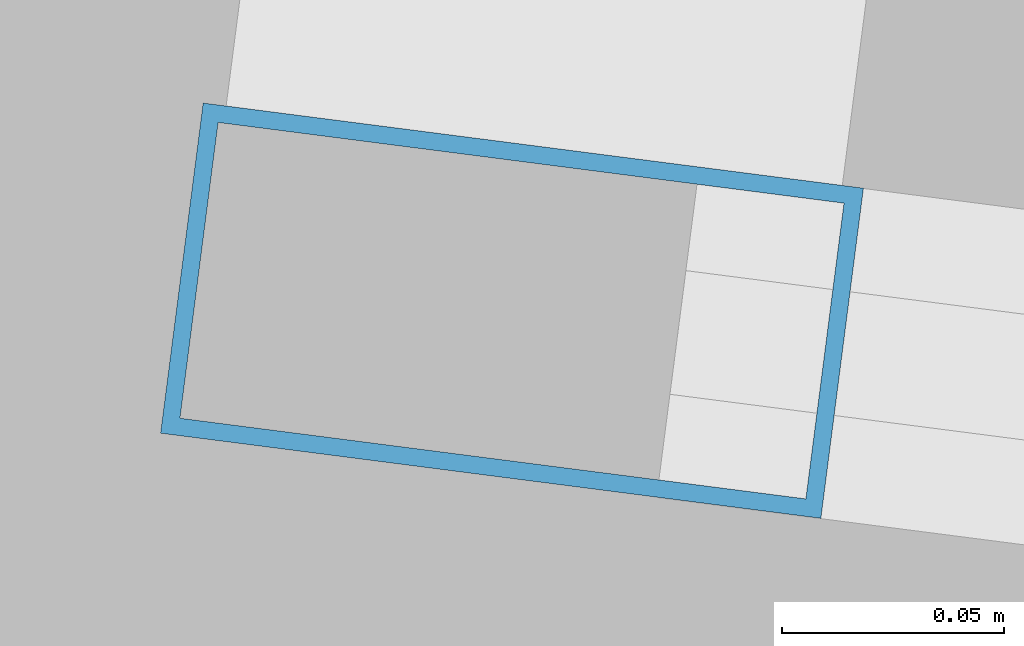
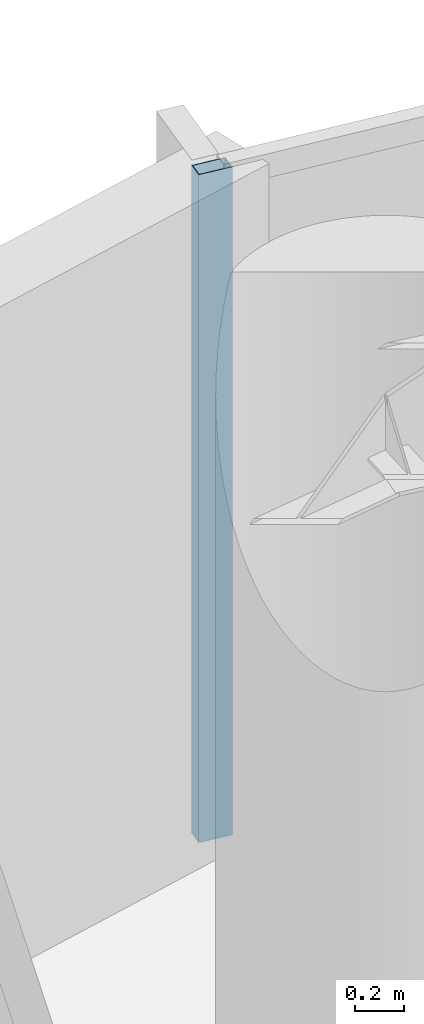
# One storey, part 22 of 30: 1 member, 1 element without a shape of its own.
"""IFC4 building model written with IfcOpenShell, lengths in metres."""

from ifc_helpers import new_model, si_unit, direction, frame, origin, origin_2d, place, context, subcontext, project, spatial, hollow_rectangle, extrude, material, layer, layer_set, material_profile, profile_set, type_object, element, aggregate, save


model = new_model("IFC4")

# Units and contexts
model_context = context("Model", 3, precision=1e-05, world=origin(), true_north=direction((0.0, 1.0)))
body_context = subcontext(model_context, "Body", "Model", "MODEL_VIEW")
ifc_project = project(units=[si_unit("LENGTHUNIT", "METRE"), si_unit("AREAUNIT", "SQUARE_METRE"), si_unit("VOLUMEUNIT", "CUBIC_METRE"), si_unit("PLANEANGLEUNIT", "RADIAN"), si_unit("MASSUNIT", "GRAM", prefix="KILO")], contexts=[model_context])

# Site, building, storey
site_placement = place(None, origin())
site = spatial("IfcSite", under=ifc_project, at=site_placement, CompositionType="ELEMENT")
building_placement = place(site_placement, origin())
building = spatial("IfcBuilding", under=site, at=building_placement, Name="Kazevale Care Tower and Concert Hall", CompositionType="ELEMENT")
storey_placement = place(building_placement, frame((0.0, 0.0, 74.39990234375)))
storey = spatial("IfcBuildingStorey", under=building, at=storey_placement, Name="L19", CompositionType="ELEMENT", Elevation=74.39990234375)

# Curtain wall, member
ifc_material_1 = material(Name="Aluminium 6063-T6 and Low-E Glass", Category="aluminium")
ifc_layer = layer(ifc_material_1, 0.179931640625)
ifc_layer_set = layer_set([ifc_layer], Name="Aluminium 6063-T6 and Low-E Glass")
curtain_wall_type = type_object("IfcCurtainWallType", Name="Convex Recessed Sunroom Curtain Wall CW-3", PredefinedType="NOTDEFINED", material=ifc_layer_set)
curtain_wall_placement = place(storey_placement, origin())
curtain_wall = element("IfcCurtainWall", 1, at=curtain_wall_placement, inside=storey, type_object=curtain_wall_type, Name="cw:L19:f16", PredefinedType="NOTDEFINED")
ifc_material_2 = material(Name="Aluminium 6063-T6", Category="aluminium")
ifc_material_profile = material_profile(ifc_material_2, hollow_rectangle(XDim=0.074951171875, YDim=0.14990234375, WallThickness=0.00390625, at=origin_2d()), Name="ALU75x150x4")
ifc_profile_set = profile_set([ifc_material_profile], Name="Aluminium 6063-T6")
member_type = type_object("IfcMemberType", Name="CW-3 Mullion ALU75x150x4", PredefinedType="MULLION", material=ifc_profile_set)
member_placement = place(storey_placement, frame((45.0791015625, 64.21728515625, 0.0), z_axis=(0.0, 0.0, 1.0), x_axis=(0.127869904852, 0.991790949461, 0.0)))
member = element("IfcMember", 2, at=member_placement, type_object=member_type, Name="CW-3 mullion 1", PredefinedType="MULLION", context=body_context, shape_type="SweptSolid", body=[
    extrude(hollow_rectangle(XDim=0.074951171875, YDim=0.14990234375, WallThickness=0.00390625, at=origin_2d()), origin(), (0.0, 0.0, 1.0), 3.360107421875),
])
aggregate(curtain_wall, [member])

save(model, "model.ifc")
